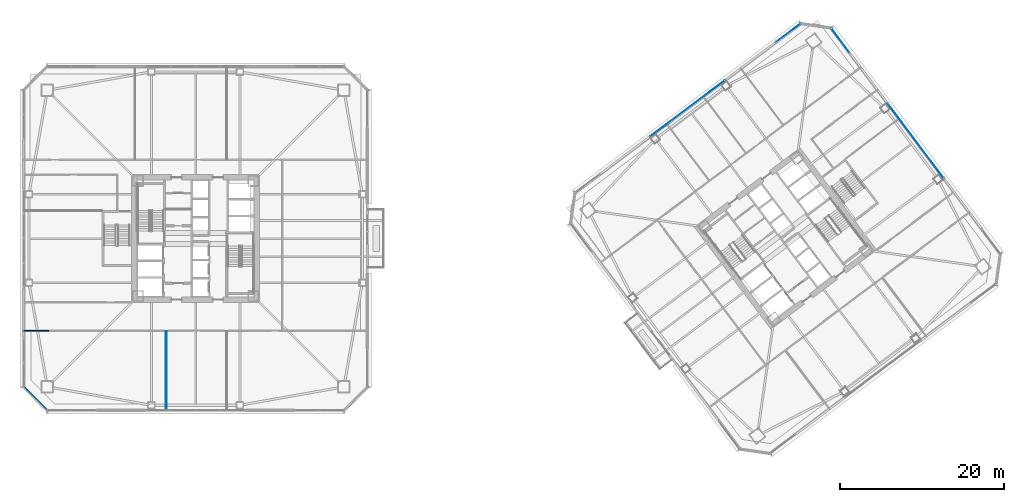
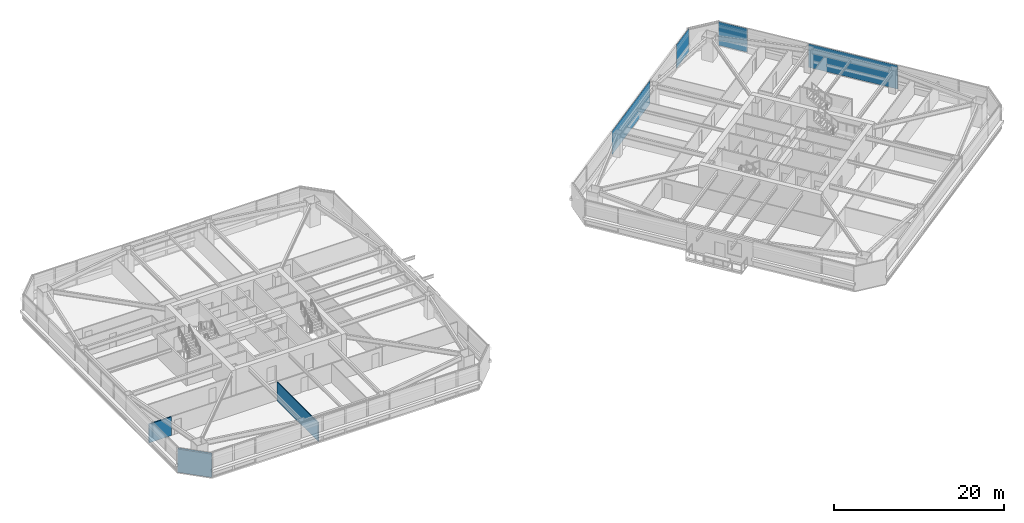
# One storey, part 32 of 44: 4 plates, 3 walls, 4 elements without a shape of their own.
"""IFC4 building model written with IfcOpenShell, lengths in metres."""

from ifc_helpers import new_model, si_unit, direction, frame, frame_2d, origin, origin_2d, place, context, subcontext, project, spatial, rectangle, extrude, material, layer, layer_set, type_object, element, aggregate, save


model = new_model("IFC4")

# Units and contexts
model_context = context("Model", 3, precision=1e-05, world=origin(), true_north=direction((0.0, 1.0)))
body_context = subcontext(model_context, "Body", "Model", "MODEL_VIEW")
ifc_project = project(units=[si_unit("LENGTHUNIT", "METRE"), si_unit("AREAUNIT", "SQUARE_METRE"), si_unit("VOLUMEUNIT", "CUBIC_METRE"), si_unit("PLANEANGLEUNIT", "RADIAN"), si_unit("MASSUNIT", "GRAM", prefix="KILO")], contexts=[model_context])

# Site, building, storey
site_placement = place(None, origin())
site = spatial("IfcSite", under=ifc_project, at=site_placement, CompositionType="ELEMENT")
building_placement = place(site_placement, origin())
building = spatial("IfcBuilding", under=site, at=building_placement, Name="Tashvorn Skyway Center", CompositionType="ELEMENT")
storey_placement = place(building_placement, frame((0.0, 0.0, 84.949951171875)))
storey = spatial("IfcBuildingStorey", under=building, at=storey_placement, Name="L22", CompositionType="ELEMENT", Elevation=84.949951171875)

# Curtain wall, plate
ifc_material_1 = material(Name="Thermally broken bronze-anodized aluminium 6063-T6", Category="aluminium")
curtain_wall_type = type_object("IfcCurtainWallType", Name="CW-CW-Z2", PredefinedType="NOTDEFINED", material=ifc_material_1)
curtain_wall_1_placement = place(storey_placement, origin())
curtain_wall_1 = element("IfcCurtainWall", 1, at=curtain_wall_1_placement, inside=storey, type_object=curtain_wall_type, Name="Tower 2 L22 North Unitised Curtain Wall Glazing Group 2", PredefinedType="NOTDEFINED")
ifc_material_2 = material(Name="Low-E solar-control double insulating safety glass", Category="glass")
ifc_layer_1 = layer(ifc_material_2, 0.0439453125)
ifc_layer_set_1 = layer_set([ifc_layer_1], Name="Low-E solar-control double insulating safety glass")
plate_type = type_object("IfcPlateType", Name="CWP-CW-Z2", PredefinedType="CURTAIN_PANEL", material=ifc_layer_set_1)
plate_1_placement = place(storey_placement, frame((102.072021484375, 47.904052734375, 0.080078125), z_axis=(0.0, 0.0, 1.0), x_axis=(0.799999999998, 0.600000000002, 0.0)))
plate_1 = element("IfcPlate", 2, at=plate_1_placement, type_object=plate_type, Name="CW-Z2 panel 1.1", PredefinedType="CURTAIN_PANEL", context=body_context, shape_type="SweptSolid", body=[
    extrude(rectangle(XDim=11.360107421875, YDim=0.0439453125, at=origin_2d()), origin(), (0.0, 0.0, 1.0), 3.389892578125),
])
aggregate(curtain_wall_1, [plate_1])

curtain_wall_2_placement = place(storey_placement, origin())
curtain_wall_2 = element("IfcCurtainWall", 3, at=curtain_wall_2_placement, inside=storey, type_object=curtain_wall_type, Name="Tower 2 L22 North Unitised Curtain Wall Glazing Group 3", PredefinedType="NOTDEFINED")
plate_2_placement = place(storey_placement, frame((114.360107421875, 57.1201171875, 0.080078125), z_axis=(0.0, 0.0, 1.0), x_axis=(0.799999999998, 0.600000000002, 0.0)))
plate_2 = element("IfcPlate", 4, at=plate_2_placement, type_object=plate_type, Name="CW-Z2 panel 1.1", PredefinedType="CURTAIN_PANEL", context=body_context, shape_type="SweptSolid", body=[
    extrude(rectangle(XDim=3.679931640625, YDim=0.0439453125, at=origin_2d()), origin(), (0.0, 0.0, 1.0), 3.389892578125),
])
aggregate(curtain_wall_2, [plate_2])

curtain_wall_3_placement = place(storey_placement, origin())
curtain_wall_3 = element("IfcCurtainWall", 5, at=curtain_wall_3_placement, inside=storey, type_object=curtain_wall_type, Name="Tower 2 L22 East Unitised Curtain Wall Glazing Group 1", PredefinedType="NOTDEFINED")
plate_3_placement = place(storey_placement, frame((120.68798828125, 56.216064453125, 0.080078125), z_axis=(0.0, 0.0, 1.0), x_axis=(0.600000000002, -0.799999999998, 0.0)))
plate_3 = element("IfcPlate", 6, at=plate_3_placement, type_object=plate_type, Name="CW-Z2 panel 1.1", PredefinedType="CURTAIN_PANEL", context=body_context, shape_type="SweptSolid", body=[
    extrude(rectangle(XDim=3.679931640625, YDim=0.0439453125, at=origin_2d()), origin(), (0.0, 0.0, 1.0), 3.389892578125),
])
aggregate(curtain_wall_3, [plate_3])

curtain_wall_4_placement = place(storey_placement, origin())
curtain_wall_4 = element("IfcCurtainWall", 7, at=curtain_wall_4_placement, inside=storey, type_object=curtain_wall_type, Name="Tower 2 L22 East Unitised Curtain Wall Glazing Group 2", PredefinedType="NOTDEFINED")
plate_4_placement = place(storey_placement, frame((129.904052734375, 43.927978515625, 0.080078125), z_axis=(0.0, 0.0, 1.0), x_axis=(0.600000000002, -0.799999999998, 0.0)))
plate_4 = element("IfcPlate", 8, at=plate_4_placement, type_object=plate_type, Name="CW-Z2 panel 1.1", PredefinedType="CURTAIN_PANEL", context=body_context, shape_type="SweptSolid", body=[
    extrude(rectangle(XDim=11.360107421875, YDim=0.0439453125, at=origin_2d()), origin(), (0.0, 0.0, 1.0), 3.389892578125),
])
aggregate(curtain_wall_4, [plate_4])

# Walls
ifc_material_3 = material(Name="Precast concrete C40/50", Category="concrete")
ifc_layer_2 = layer(ifc_material_3, 0.280029296875)
ifc_layer_set_2 = layer_set([ifc_layer_2], Name="Precast concrete C40/50")
wall_type_1 = type_object("IfcWallType", Name="WALL-EXT-280", PredefinedType="SOLIDWALL", material=ifc_layer_set_2)
wall_1_placement = place(storey_placement, frame((23.89990234375, 11.0, 0.0), z_axis=(0.0, 0.0, 1.0), x_axis=(-0.707106781187, 0.707106781187, 0.0)))
element("IfcWall", 9, at=wall_1_placement, inside=storey, type_object=wall_type_1, Name="Tower 1 L22 SW Precast Chamfer Wall", PredefinedType="SOLIDWALL", context=body_context, shape_type="SweptSolid", body=[
    extrude(rectangle(XDim=4.10107421875, YDim=0.280029296875, at=frame_2d((2.050537109375, 0.0))), origin(), (0.0, 0.0, 1.0), 3.35009765625),
])
ifc_material_4 = material(Name="Gypsum board on cold-formed steel stud framing", Category="steel")
ifc_layer_3 = layer(ifc_material_4, 0.110107421875)
ifc_layer_set_3 = layer_set([ifc_layer_3], Name="Gypsum board on cold-formed steel stud framing")
wall_type_2 = type_object("IfcWallType", Name="WALL-PART-110", PredefinedType="PARTITIONING", material=ifc_layer_set_3)
wall_2_placement = place(storey_placement, frame((38.39990234375, 11.02001953125, 0.0), z_axis=(0.0, 0.0, 1.0), x_axis=(0.0, 1.0, 0.0)))
element("IfcWall", 10, at=wall_2_placement, inside=storey, type_object=wall_type_2, Name="Tower 1 L22 South Suite Partition 1", PredefinedType="PARTITIONING", context=body_context, shape_type="SweptSolid", body=[
    extrude(rectangle(XDim=9.64990234375, YDim=0.110107421875, at=frame_2d((4.824951171875, 0.0))), origin(), (0.0, 0.0, 1.0), 2.703125),
])
ifc_layer_4 = layer(ifc_material_4, 0.135009765625)
ifc_layer_set_4 = layer_set([ifc_layer_4], Name="Gypsum board on cold-formed steel stud framing")
wall_type_3 = type_object("IfcWallType", Name="WALL-PART-135", PredefinedType="PARTITIONING", material=ifc_layer_set_4)
wall_3_placement = place(storey_placement, frame((21.02001953125, 20.75, 0.0), z_axis=(0.0, 0.0, 1.0), x_axis=(1.0, 0.0, 0.0)))
element("IfcWall", 11, at=wall_3_placement, inside=storey, type_object=wall_type_3, Name="Tower 1 L22 South-West Suite North Wall", PredefinedType="PARTITIONING", context=body_context, shape_type="SweptSolid", body=[
    extrude(rectangle(XDim=3.030029296875, YDim=0.135009765625, at=frame_2d((1.51513671875, 0.0))), origin(), (0.0, 0.0, 1.0), 2.703125),
])

save(model, "model.ifc")
